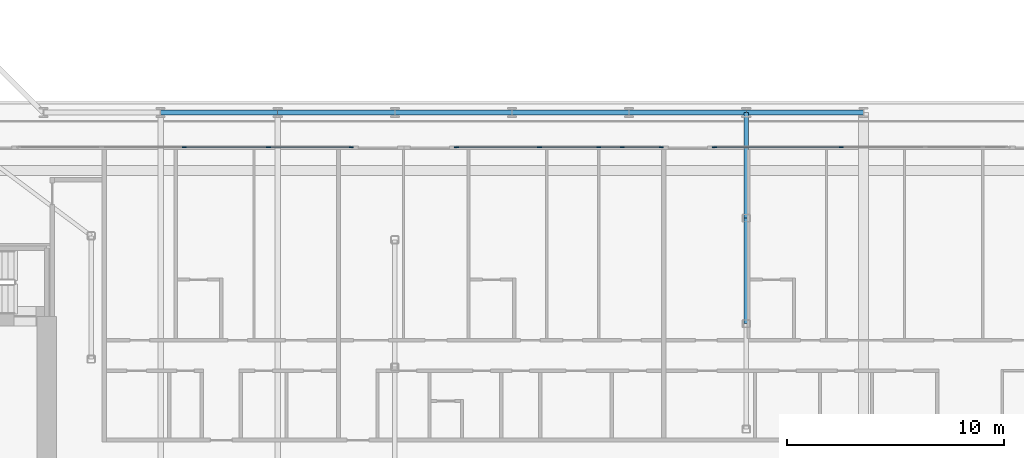
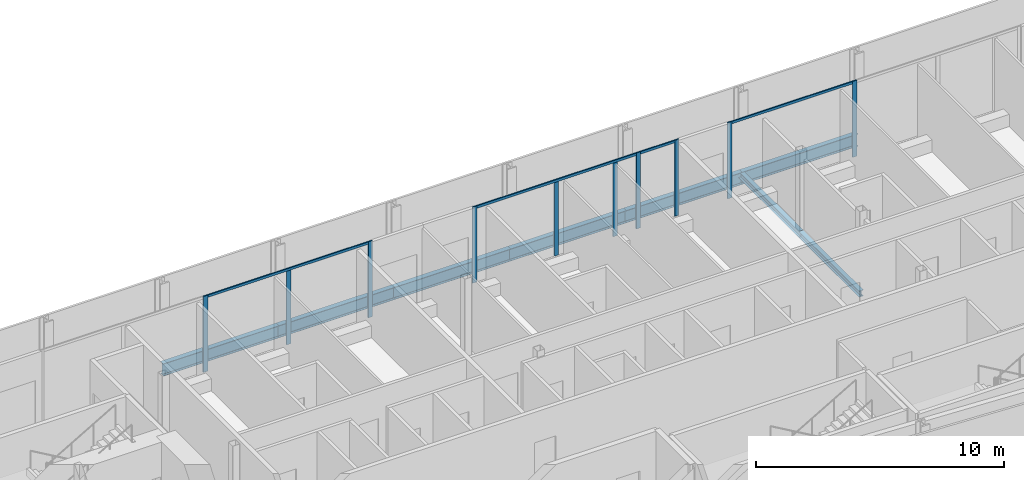
# One storey, part 6 of 29: 14 members, 8 beams, 5 elements without a shape of their own.
"""IFC4 building model written with IfcOpenShell, lengths in metres."""

from ifc_helpers import new_model, si_unit, direction, frame, origin, origin_2d, place, context, subcontext, project, spatial, rectangle, i_section, extrude, material, layer, layer_set, material_profile, profile_set, type_object, element, aggregate, save


model = new_model("IFC4")

# Units and contexts
model_context = context("Model", 3, precision=1e-05, world=origin(), true_north=direction((0.0, 1.0)))
body_context = subcontext(model_context, "Body", "Model", "MODEL_VIEW")
ifc_project = project(units=[si_unit("LENGTHUNIT", "METRE"), si_unit("AREAUNIT", "SQUARE_METRE"), si_unit("VOLUMEUNIT", "CUBIC_METRE"), si_unit("PLANEANGLEUNIT", "RADIAN"), si_unit("MASSUNIT", "GRAM", prefix="KILO")], contexts=[model_context])

# Site, building, storey
site_placement = place(None, origin())
site = spatial("IfcSite", under=ifc_project, at=site_placement, CompositionType="ELEMENT")
building_placement = place(site_placement, origin())
building = spatial("IfcBuilding", under=site, at=building_placement, Name="Kheshtan School and Residences Tower", CompositionType="ELEMENT")
storey_placement = place(building_placement, frame((0.0, 0.0, 121.39990234375)))
storey = spatial("IfcBuildingStorey", under=building, at=storey_placement, Name="L28", CompositionType="ELEMENT", Elevation=121.39990234375)

# Beams
ifc_material_1 = material(Name="Steel ASTM A992 Grade 50", Category="steel")
ifc_material_profile_1 = material_profile(ifc_material_1, i_section(OverallWidth=0.202880859375, OverallDepth=0.302978515625, WebThickness=0.007568359375, FlangeThickness=0.01318359375, FilletRadius=0.009033203125, at=origin_2d()), Name="W310x60")
ifc_profile_set_1 = profile_set([ifc_material_profile_1], Name="Steel ASTM A992 Grade 50")
beam_type_1 = type_object("IfcBeamType", Name="Beam FB1 W310x60 ASTM A992 Grade 50", PredefinedType="BEAM", material=ifc_profile_set_1)
for number, where, z_axis, x_axis, name in (
    (1, (85.39990234375, 45.60009765625, -0.301513671875), (0.0, -1.0, 0.0), (1.0, 0.0, 0.0), "Floor beam C067"),
    (2, (85.39990234375, 40.735107421875, -0.301513671875), (0.0, -1.0, 0.0), (1.0, 0.0, 0.0), "Floor beam IC"),
):
    element("IfcBeam", number, at=place(storey_placement, frame(where, z_axis=z_axis, x_axis=x_axis)), inside=storey, type_object=beam_type_1, Name=name, PredefinedType="BEAM", context=body_context, shape_type="SweptSolid", body=[
        extrude(i_section(OverallWidth=0.202880859375, OverallDepth=0.302978515625, WebThickness=0.007568359375, FlangeThickness=0.01318359375, FilletRadius=0.009033203125, at=origin_2d()), origin(), (0.0, 0.0, 1.0), 4.864990234375),
    ])
ifc_material_profile_2 = material_profile(ifc_material_1, i_section(OverallWidth=0.22802734375, OverallDepth=0.60302734375, WebThickness=0.010498046875, FlangeThickness=0.014892578125, FilletRadius=0.013427734375, at=origin_2d()), Name="W610x101")
ifc_profile_set_2 = profile_set([ifc_material_profile_2], Name="Steel ASTM A992 Grade 50")
beam_type_2 = type_object("IfcBeamType", Name="Beam SP2 W610x101 ASTM A992 Grade 50", PredefinedType="BEAM", material=ifc_profile_set_2)
beam_1_placement = place(storey_placement, frame((58.39990234375, 45.60009765625, -0.451416015625), z_axis=(1.0, 0.0, 0.0), x_axis=(0.0, 1.0, 0.0)))
element("IfcBeam", 3, at=beam_1_placement, inside=storey, type_object=beam_type_2, Name="Spandrel beam C062-C063", PredefinedType="BEAM", context=body_context, shape_type="SweptSolid", body=[
    extrude(i_section(OverallWidth=0.22802734375, OverallDepth=0.60302734375, WebThickness=0.010498046875, FlangeThickness=0.014892578125, FilletRadius=0.013427734375, at=origin_2d()), origin(), (0.0, 0.0, 1.0), 5.400146484375),
])
beam_2_placement = place(storey_placement, frame((63.800048828125, 45.60009765625, -0.451416015625), z_axis=(1.0, 0.0, 0.0), x_axis=(0.0, 1.0, 0.0)))
element("IfcBeam", 4, at=beam_2_placement, inside=storey, type_object=beam_type_2, Name="Spandrel beam C063-C064", PredefinedType="BEAM", context=body_context, shape_type="SweptSolid", body=[
    extrude(i_section(OverallWidth=0.22802734375, OverallDepth=0.60302734375, WebThickness=0.010498046875, FlangeThickness=0.014892578125, FilletRadius=0.013427734375, at=origin_2d()), origin(), (0.0, 0.0, 1.0), 5.39990234375),
])
beam_3_placement = place(storey_placement, frame((69.199951171875, 45.60009765625, -0.451416015625), z_axis=(1.0, 0.0, 0.0), x_axis=(0.0, 1.0, 0.0)))
element("IfcBeam", 5, at=beam_3_placement, inside=storey, type_object=beam_type_2, Name="Spandrel beam C064-C065", PredefinedType="BEAM", context=body_context, shape_type="SweptSolid", body=[
    extrude(i_section(OverallWidth=0.22802734375, OverallDepth=0.60302734375, WebThickness=0.010498046875, FlangeThickness=0.014892578125, FilletRadius=0.013427734375, at=origin_2d()), origin(), (0.0, 0.0, 1.0), 5.400146484375),
])
for number, where, z_axis, x_axis, name in (
    (6, (74.60009765625, 45.60009765625, -0.451416015625), (1.0, 0.0, 0.0), (0.0, 1.0, 0.0), "Spandrel beam C065-C066"),
    (7, (80.0, 45.60009765625, -0.451416015625), (1.0, 0.0, 0.0), (0.0, 1.0, 0.0), "Spandrel beam C066-C067"),
):
    element("IfcBeam", number, at=place(storey_placement, frame(where, z_axis=z_axis, x_axis=x_axis)), inside=storey, type_object=beam_type_2, Name=name, PredefinedType="BEAM", context=body_context, shape_type="SweptSolid", body=[
        extrude(i_section(OverallWidth=0.22802734375, OverallDepth=0.60302734375, WebThickness=0.010498046875, FlangeThickness=0.014892578125, FilletRadius=0.013427734375, at=origin_2d()), origin(), (0.0, 0.0, 1.0), 5.39990234375),
    ])
beam_4_placement = place(storey_placement, frame((85.39990234375, 45.60009765625, -0.451416015625), z_axis=(1.0, 0.0, 0.0), x_axis=(0.0, 1.0, 0.0)))
element("IfcBeam", 8, at=beam_4_placement, inside=storey, type_object=beam_type_2, Name="Spandrel beam C067-C068", PredefinedType="BEAM", context=body_context, shape_type="SweptSolid", body=[
    extrude(i_section(OverallWidth=0.22802734375, OverallDepth=0.60302734375, WebThickness=0.010498046875, FlangeThickness=0.014892578125, FilletRadius=0.013427734375, at=origin_2d()), origin(), (0.0, 0.0, 1.0), 5.400146484375),
])

# Curtain wall, member
ifc_material_2 = material(Name="Clear low-e glass in thermally broken aluminium frame", Category="aluminium")
ifc_layer = layer(ifc_material_2, 0.199951171875)
ifc_layer_set = layer_set([ifc_layer], Name="Curtain wall CW-L")
curtain_wall_type = type_object("IfcCurtainWallType", Name="Curtain wall CW-L", PredefinedType="NOTDEFINED", material=ifc_layer_set)
curtain_wall_1_placement = place(storey_placement, origin())
curtain_wall_1 = element("IfcCurtainWall", 9, at=curtain_wall_1_placement, inside=storey, type_object=curtain_wall_type, Name="Curtain wall CWL12j", PredefinedType="NOTDEFINED")
ifc_material_3 = material(Name="Thermally broken aluminium, dark bronze anodised", Category="aluminium")
ifc_material_profile_3 = material_profile(ifc_material_3, rectangle(XDim=0.06005859375, YDim=0.199951171875, at=origin_2d()), Name="CW-L mullion 60x200")
ifc_profile_set_3 = profile_set([ifc_material_profile_3], Name="Thermally broken aluminium, dark bronze anodised")
member_type_1 = type_object("IfcMemberType", Name="CW-L mullion 60x200", PredefinedType="MULLION", material=ifc_profile_set_3)
member_1_placement = place(storey_placement, frame((59.493896484375, 44.0, 0.0), z_axis=(0.0, 0.0, 1.0), x_axis=(0.0, 1.0, 0.0)))
member_1 = element("IfcMember", 10, at=member_1_placement, type_object=member_type_1, Name="CWL12j mullion 3", PredefinedType="MULLION", context=body_context, shape_type="SweptSolid", body=[
    extrude(rectangle(XDim=0.06005859375, YDim=0.199951171875, at=origin_2d()), origin(), (0.0, 0.0, 1.0), 3.75),
])
aggregate(curtain_wall_1, [member_1])

# Curtain wall, members
curtain_wall_2_placement = place(storey_placement, origin())
curtain_wall_2 = element("IfcCurtainWall", 11, at=curtain_wall_2_placement, inside=storey, type_object=curtain_wall_type, Name="Curtain wall CWL12j", PredefinedType="NOTDEFINED")
member_2_placement = place(storey_placement, frame((63.37109375, 44.0, 0.0), z_axis=(0.0, 0.0, 1.0), x_axis=(0.0, 1.0, 0.0)))
member_2 = element("IfcMember", 12, at=member_2_placement, type_object=member_type_1, Name="CWL12j mullion 2", PredefinedType="MULLION", context=body_context, shape_type="SweptSolid", body=[
    extrude(rectangle(XDim=0.06005859375, YDim=0.199951171875, at=origin_2d()), origin(), (0.0, 0.0, 1.0), 3.630126953125),
])
member_3_placement = place(storey_placement, frame((67.18798828125, 44.0, 0.0), z_axis=(0.0, 0.0, 1.0), x_axis=(0.0, 1.0, 0.0)))
member_3 = element("IfcMember", 13, at=member_3_placement, type_object=member_type_1, Name="CWL12j mullion 3", PredefinedType="MULLION", context=body_context, shape_type="SweptSolid", body=[
    extrude(rectangle(XDim=0.06005859375, YDim=0.199951171875, at=origin_2d()), origin(), (0.0, 0.0, 1.0), 3.75),
])

curtain_wall_3_placement = place(storey_placement, origin())
curtain_wall_3 = element("IfcCurtainWall", 14, at=curtain_wall_3_placement, inside=storey, type_object=curtain_wall_type, Name="Curtain wall CWL12k", PredefinedType="NOTDEFINED")
member_4_placement = place(storey_placement, frame((72.048095703125, 44.0, 0.0), z_axis=(0.0, 0.0, 1.0), x_axis=(0.0, 1.0, 0.0)))
member_4 = element("IfcMember", 15, at=member_4_placement, type_object=member_type_1, Name="CWL12k mullion 1", PredefinedType="MULLION", context=body_context, shape_type="SweptSolid", body=[
    extrude(rectangle(XDim=0.06005859375, YDim=0.199951171875, at=origin_2d()), origin(), (0.0, 0.0, 1.0), 3.75),
])
member_5_placement = place(storey_placement, frame((75.864990234375, 44.0, 0.0), z_axis=(0.0, 0.0, 1.0), x_axis=(0.0, 1.0, 0.0)))
member_5 = element("IfcMember", 16, at=member_5_placement, type_object=member_type_1, Name="CWL12k mullion 2", PredefinedType="MULLION", context=body_context, shape_type="SweptSolid", body=[
    extrude(rectangle(XDim=0.06005859375, YDim=0.199951171875, at=origin_2d()), origin(), (0.0, 0.0, 1.0), 3.630126953125),
])
member_6_placement = place(storey_placement, frame((78.60009765625, 44.0, 0.0), z_axis=(0.0, 0.0, 1.0), x_axis=(0.0, 1.0, 0.0)))
member_6 = element("IfcMember", 17, at=member_6_placement, type_object=member_type_1, Name="CWL12k mullion 3", PredefinedType="MULLION", context=body_context, shape_type="SweptSolid", body=[
    extrude(rectangle(XDim=0.06005859375, YDim=0.199951171875, at=origin_2d()), origin(), (0.0, 0.0, 1.0), 3.630126953125),
])
member_7_placement = place(storey_placement, frame((79.681884765625, 44.0, 0.0), z_axis=(0.0, 0.0, 1.0), x_axis=(0.0, 1.0, 0.0)))
member_7 = element("IfcMember", 18, at=member_7_placement, type_object=member_type_1, Name="CWL12k mullion 4", PredefinedType="MULLION", context=body_context, shape_type="SweptSolid", body=[
    extrude(rectangle(XDim=0.06005859375, YDim=0.199951171875, at=origin_2d()), origin(), (0.0, 0.0, 1.0), 3.75),
])

# Curtain wall, member
curtain_wall_4_placement = place(storey_placement, origin())
curtain_wall_4 = element("IfcCurtainWall", 19, at=curtain_wall_4_placement, inside=storey, type_object=curtain_wall_type, Name="Curtain wall CWL12q", PredefinedType="NOTDEFINED")
member_8_placement = place(storey_placement, frame((81.48193359375, 44.0, 0.0), z_axis=(0.0, 0.0, 1.0), x_axis=(0.0, 1.0, 0.0)))
member_8 = element("IfcMember", 20, at=member_8_placement, type_object=member_type_1, Name="CWL12q mullion 2", PredefinedType="MULLION", context=body_context, shape_type="SweptSolid", body=[
    extrude(rectangle(XDim=0.06005859375, YDim=0.199951171875, at=origin_2d()), origin(), (0.0, 0.0, 1.0), 3.75),
])

# Curtain wall, members
curtain_wall_5_placement = place(storey_placement, origin())
curtain_wall_5 = element("IfcCurtainWall", 21, at=curtain_wall_5_placement, inside=storey, type_object=curtain_wall_type, Name="Curtain wall CWL12r", PredefinedType="NOTDEFINED")
member_9_placement = place(storey_placement, frame((83.94189453125, 44.0, 0.0), z_axis=(0.0, 0.0, 1.0), x_axis=(0.0, 1.0, 0.0)))
member_9 = element("IfcMember", 22, at=member_9_placement, type_object=member_type_1, Name="CWL12r mullion 1", PredefinedType="MULLION", context=body_context, shape_type="SweptSolid", body=[
    extrude(rectangle(XDim=0.06005859375, YDim=0.199951171875, at=origin_2d()), origin(), (0.0, 0.0, 1.0), 3.75),
])
member_10_placement = place(storey_placement, frame((89.77587890625, 44.0, 0.0), z_axis=(0.0, 0.0, 1.0), x_axis=(0.0, 1.0, 0.0)))
member_10 = element("IfcMember", 23, at=member_10_placement, type_object=member_type_1, Name="CWL12r mullion 2", PredefinedType="MULLION", context=body_context, shape_type="SweptSolid", body=[
    extrude(rectangle(XDim=0.06005859375, YDim=0.199951171875, at=origin_2d()), origin(), (0.0, 0.0, 1.0), 3.75),
])

# Member
ifc_material_profile_4 = material_profile(ifc_material_3, rectangle(XDim=0.06005859375, YDim=0.1201171875, at=origin_2d()), Name="CW-L transom 60x120")
ifc_profile_set_4 = profile_set([ifc_material_profile_4], Name="Thermally broken aluminium, dark bronze anodised")
member_type_2 = type_object("IfcMemberType", Name="CW-L transom 60x120", PredefinedType="USERDEFINED", material=ifc_profile_set_4)
member_11_placement = place(storey_placement, frame((59.52392578125, 44.0, 3.690185546875), z_axis=(1.0, 0.0, 0.0), x_axis=(0.0, 1.0, 0.0)))
member_11 = element("IfcMember", 24, at=member_11_placement, type_object=member_type_2, Name="CWL12j transom 1", ObjectType="TRANSOM", PredefinedType="USERDEFINED", context=body_context, shape_type="SweptSolid", body=[
    extrude(rectangle(XDim=0.06005859375, YDim=0.1201171875, at=origin_2d()), origin(), (0.0, 0.0, 1.0), 7.634033203125),
])

aggregate(curtain_wall_2, [member_2, member_3, member_11])

member_12_placement = place(storey_placement, frame((72.077880859375, 44.0, 3.690185546875), z_axis=(1.0, 0.0, 0.0), x_axis=(0.0, 1.0, 0.0)))
member_12 = element("IfcMember", 25, at=member_12_placement, type_object=member_type_2, Name="CWL12k transom 1", ObjectType="TRANSOM", PredefinedType="USERDEFINED", context=body_context, shape_type="SweptSolid", body=[
    extrude(rectangle(XDim=0.06005859375, YDim=0.1201171875, at=origin_2d()), origin(), (0.0, 0.0, 1.0), 7.57421875),
])

aggregate(curtain_wall_3, [member_4, member_5, member_6, member_7, member_12])

member_13_placement = place(storey_placement, frame((79.7119140625, 44.0, 3.690185546875), z_axis=(1.0, 0.0, 0.0), x_axis=(0.0, 1.0, 0.0)))
member_13 = element("IfcMember", 26, at=member_13_placement, type_object=member_type_2, Name="CWL12q transom 1", ObjectType="TRANSOM", PredefinedType="USERDEFINED", context=body_context, shape_type="SweptSolid", body=[
    extrude(rectangle(XDim=0.06005859375, YDim=0.1201171875, at=origin_2d()), origin(), (0.0, 0.0, 1.0), 1.739990234375),
])

aggregate(curtain_wall_4, [member_8, member_13])

member_14_placement = place(storey_placement, frame((83.971923828125, 44.0, 3.690185546875), z_axis=(1.0, 0.0, 0.0), x_axis=(0.0, 1.0, 0.0)))
member_14 = element("IfcMember", 27, at=member_14_placement, type_object=member_type_2, Name="CWL12r transom 1", ObjectType="TRANSOM", PredefinedType="USERDEFINED", context=body_context, shape_type="SweptSolid", body=[
    extrude(rectangle(XDim=0.06005859375, YDim=0.1201171875, at=origin_2d()), origin(), (0.0, 0.0, 1.0), 5.774169921875),
])

aggregate(curtain_wall_5, [member_9, member_10, member_14])

save(model, "model.ifc")
